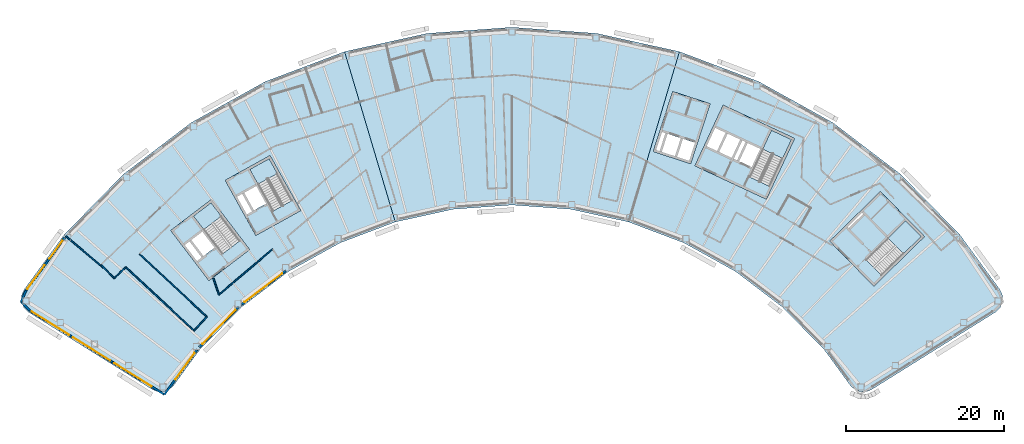
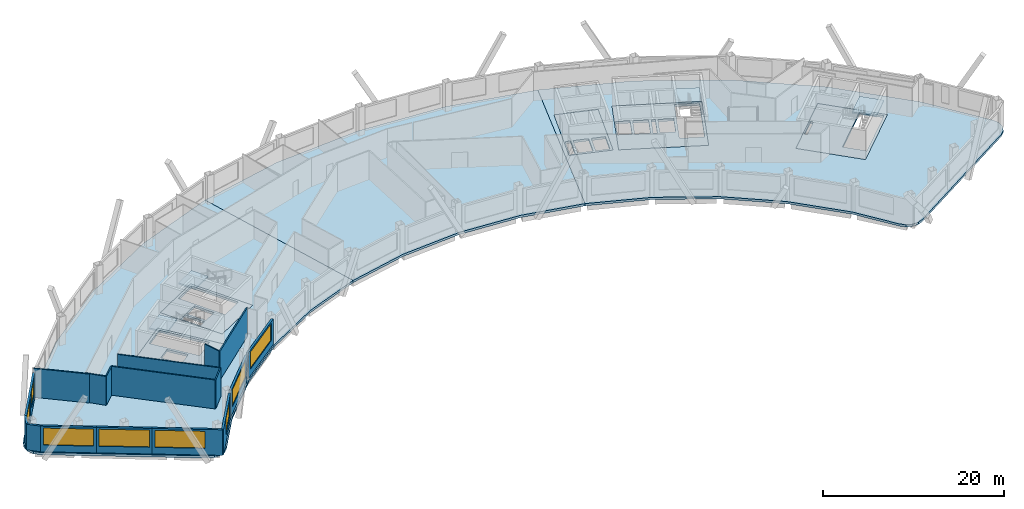
# One storey, part 4 of 12: 17 walls, 12 slabs, 8 windows, 8 openings, 4 elements without a shape of their own.
"""IFC4 building model written with IfcOpenShell, lengths in metres."""

from ifc_helpers import new_model, si_unit, direction, frame, frame_2d, origin, place, context, subcontext, project, spatial, polyline, rectangle, outline, extrude, material, layer, layer_set, type_object, element, fill, aggregate, save


model = new_model("IFC4")

# Units and contexts
model_context = context("Model", 3, precision=1e-05, world=origin(), true_north=direction((0.0, 1.0)))
body_context = subcontext(model_context, "Body", "Model", "MODEL_VIEW")
ifc_project = project(units=[si_unit("LENGTHUNIT", "METRE"), si_unit("AREAUNIT", "SQUARE_METRE"), si_unit("VOLUMEUNIT", "CUBIC_METRE"), si_unit("PLANEANGLEUNIT", "RADIAN"), si_unit("MASSUNIT", "GRAM", prefix="KILO")], contexts=[model_context])

# Site, building, storey
site_placement = place(None, origin())
site = spatial("IfcSite", under=ifc_project, at=site_placement, CompositionType="ELEMENT")
building_placement = place(site_placement, origin())
building = spatial("IfcBuilding", under=site, at=building_placement, Name="Tuul Gate Civic Tower", CompositionType="ELEMENT")
storey_placement = place(building_placement, frame((0.0, 0.0, 336.5)))
storey = spatial("IfcBuildingStorey", under=building, at=storey_placement, Name="Level 76", CompositionType="ELEMENT", Elevation=336.5)

# Slabs
ifc_material_1 = material(Name="Concrete C40/50", Category="concrete")
ifc_layer_1 = layer(ifc_material_1, 0.300048828125)
ifc_layer_set_1 = layer_set([ifc_layer_1], Name="Concrete C40/50")
slab_type_1 = type_object("IfcSlabType", Name="Core floor slab 300", PredefinedType="FLOOR", material=ifc_layer_set_1)
slab_1_placement = place(storey_placement, frame((0.0, 0.0, -0.300048828125)))
element("IfcSlab", 1, at=slab_1_placement, inside=storey, type_object=slab_type_1, Name="FLOOR SLAB", PredefinedType="FLOOR", context=body_context, shape_type="SweptSolid", body=[
    extrude(outline(polyline([(-31.10009765625, -13.7890625), (-35.946044921875, -7.423828125), (-41.11767578125, -11.361572265625), (-36.271484375, -17.726806640625), (-31.10009765625, -13.7890625)]), holes=[polyline([(-35.561767578125, -13.541259765625), (-37.1064453125, -11.512451171875), (-38.498779296875, -12.572509765625), (-36.9541015625, -14.6015625), (-35.561767578125, -13.541259765625)]), polyline([(-37.19287109375, -14.783203125), (-38.737548828125, -12.75439453125), (-39.45361328125, -13.299560546875), (-37.908935546875, -15.328369140625), (-37.19287109375, -14.783203125)]), polyline([(-32.33935546875, -12.65771484375), (-34.56591796875, -14.352783203125), (-38.229736328125, -9.54052734375), (-36.003173828125, -7.845458984375), (-32.33935546875, -12.65771484375)])]), origin(), (0.0, 0.0, 1.0), 0.300048828125),
])
slab_2_placement = place(storey_placement, frame((0.0, 0.0, -0.300048828125)))
element("IfcSlab", 2, at=slab_2_placement, inside=storey, type_object=slab_type_1, Name="FLOOR SLAB", PredefinedType="FLOOR", context=body_context, shape_type="SweptSolid", body=[
    extrude(outline(polyline([(-24.638916015625, -8.846923828125), (-28.51708984375, -1.849853515625), (-34.2021484375, -5.0009765625), (-30.32421875, -11.998046875), (-24.638916015625, -8.846923828125)]), holes=[polyline([(-29.0185546875, -7.958740234375), (-30.254638671875, -5.728515625), (-31.785400390625, -6.576904296875), (-30.54931640625, -8.80712890625), (-29.0185546875, -7.958740234375)]), polyline([(-30.8115234375, -8.95263671875), (-32.047607421875, -6.72216796875), (-32.8349609375, -7.158447265625), (-31.5986328125, -9.388916015625), (-30.8115234375, -8.95263671875)]), polyline([(-25.702392578125, -7.548828125), (-28.14990234375, -8.905517578125), (-31.08203125, -3.615234375), (-28.63427734375, -2.2587890625), (-25.702392578125, -7.548828125)])]), origin(), (0.0, 0.0, 1.0), 0.300048828125),
])
slab_3_placement = place(storey_placement, frame((0.0, 0.0, -0.300048828125)))
element("IfcSlab", 3, at=slab_3_placement, inside=storey, type_object=slab_type_1, Name="FLOOR SLAB", PredefinedType="FLOOR", context=body_context, shape_type="SweptSolid", body=[
    extrude(outline(polyline([(48.117919921875, -18.43310546875), (54.545166015625, -12.1328125), (48.945068359375, -6.419921875), (42.517822265625, -12.719970703125), (48.117919921875, -18.43310546875)]), holes=[polyline([(44.93896484375, -11.046875), (46.760009765625, -9.261962890625), (46.514892578125, -9.011962890625), (44.69384765625, -10.797119140625), (44.93896484375, -11.046875)]), polyline([(49.086181640625, -17.062744140625), (47.12744140625, -15.064208984375), (52.160888671875, -10.130126953125), (54.11962890625, -12.128662109375), (49.086181640625, -17.062744140625)])]), origin(), (0.0, 0.0, 1.0), 0.300048828125),
])
slab_4_placement = place(storey_placement, frame((0.0, 0.0, -0.300048828125)))
element("IfcSlab", 4, at=slab_4_placement, inside=storey, type_object=slab_type_1, Name="FLOOR SLAB", PredefinedType="FLOOR", context=body_context, shape_type="SweptSolid", body=[
    extrude(outline(polyline([(34.465087890625, -7.385986328125), (38.056884765625, 0.31787109375), (28.993896484375, 4.543701171875), (25.40185546875, -3.159912109375), (34.465087890625, -7.385986328125)]), holes=[polyline([(32.60888671875, -3.32080078125), (33.6865234375, -1.009765625), (32.1005859375, -0.27001953125), (31.02294921875, -2.581298828125), (32.60888671875, -3.32080078125)]), polyline([(30.0712890625, -2.137451171875), (31.14892578125, 0.173583984375), (29.562744140625, 0.9130859375), (28.4853515625, -1.39794921875), (30.0712890625, -2.137451171875)]), polyline([(30.751220703125, -2.454345703125), (31.82861328125, -0.143310546875), (31.4208984375, 0.046875), (30.34326171875, -2.264404296875), (30.751220703125, -2.454345703125)]), polyline([(28.21337890625, -1.27099609375), (29.291015625, 1.0400390625), (27.8408203125, 1.71630859375), (26.76318359375, -0.594970703125), (28.21337890625, -1.27099609375)]), polyline([(34.889892578125, -5.7626953125), (32.353759765625, -4.580078125), (35.120849609375, 1.354736328125), (37.6572265625, 0.17236328125), (34.889892578125, -5.7626953125)])]), origin(), (0.0, 0.0, 1.0), 0.300048828125),
])
ifc_material_2 = material(Name="Concrete C40/50", Category="concrete")
ifc_layer_2 = layer(ifc_material_2, 0.300048828125)
ifc_layer_set_2 = layer_set([ifc_layer_2], Name="Concrete C40/50")
slab_type_2 = type_object("IfcSlabType", Name="Core floor slab 300 non-bearing", PredefinedType="FLOOR", material=ifc_layer_set_2)
slab_5_placement = place(storey_placement, frame((0.0, 0.0, -0.300048828125)))
element("IfcSlab", 5, at=slab_5_placement, inside=storey, type_object=slab_type_2, Name="FLOOR SLAB", PredefinedType="FLOOR", context=body_context, shape_type="SweptSolid", body=[
    extrude(outline(polyline([(24.864990234375, -2.888916015625), (27.337890625, 4.71923828125), (22.58251953125, 6.264404296875), (20.109619140625, -1.343994140625), (24.864990234375, -2.888916015625)]), holes=[polyline([(24.67236328125, -2.510986328125), (25.414306640625, -0.228515625), (23.892578125, 0.265869140625), (23.150634765625, -2.0166015625), (24.67236328125, -2.510986328125)]), polyline([(22.865478515625, -1.923828125), (23.607177734375, 0.358642578125), (21.94287109375, 0.8994140625), (21.201171875, -1.383056640625), (22.865478515625, -1.923828125)]), polyline([(20.869384765625, -1.43310546875), (21.65771484375, 0.9921875), (21.0869140625, 1.177490234375), (20.298583984375, -1.24755859375), (20.869384765625, -1.43310546875)])]), origin(), (0.0, 0.0, 1.0), 0.300048828125),
])

# Stair, slab
ifc_material_3 = material(Name="Concrete C40/50", Category="concrete")
stair_type = type_object("IfcStairType", Name="Exit stair", PredefinedType="HALF_TURN_STAIR", material=ifc_material_3)
stair_1_placement = place(storey_placement, origin())
stair_1 = element("IfcStair", 6, at=stair_1_placement, inside=storey, type_object=stair_type, Name="Level 76 ST-1", PredefinedType="HALF_TURN_STAIR")
ifc_material_4 = material(Name="Concrete C40/50", Category="concrete")
ifc_layer_3 = layer(ifc_material_4, 0.199951171875)
ifc_layer_set_3 = layer_set([ifc_layer_3], Name="Concrete C40/50")
slab_type_3 = type_object("IfcSlabType", Name="Exit stair landing", PredefinedType="LANDING", material=ifc_layer_set_3)
slab_6_placement = place(storey_placement, frame((0.0, 0.0, 1.89990234375)))
slab_6 = element("IfcSlab", 7, at=slab_6_placement, type_object=slab_type_3, Name="ST-1 landing 1", PredefinedType="LANDING", context=body_context, shape_type="SweptSolid", body=[
    extrude(outline(polyline([(-34.699462890625, -9.554931640625), (-36.9287109375, -11.252197265625), (-38.23193359375, -9.540283203125), (-36.0029296875, -7.843017578125), (-34.699462890625, -9.554931640625)])), origin(), (0.0, 0.0, 1.0), 0.2001953125),
])
aggregate(stair_1, [slab_6])

stair_2_placement = place(storey_placement, origin())
stair_2 = element("IfcStair", 8, at=stair_2_placement, inside=storey, type_object=stair_type, Name="Level 76 ST-2", PredefinedType="HALF_TURN_STAIR")
slab_7_placement = place(storey_placement, frame((0.0, 0.0, 1.89990234375)))
slab_7 = element("IfcSlab", 9, at=slab_7_placement, type_object=slab_type_3, Name="ST-2 landing 1", PredefinedType="LANDING", context=body_context, shape_type="SweptSolid", body=[
    extrude(outline(polyline([(-27.5908203125, -4.138427734375), (-30.041015625, -5.49658203125), (-31.084228515625, -3.61474609375), (-28.6337890625, -2.256591796875), (-27.5908203125, -4.138427734375)])), origin(), (0.0, 0.0, 1.0), 0.2001953125),
])
aggregate(stair_2, [slab_7])

stair_3_placement = place(storey_placement, origin())
stair_3 = element("IfcStair", 10, at=stair_3_placement, inside=storey, type_object=stair_type, Name="Level 76 ST-3", PredefinedType="HALF_TURN_STAIR")
slab_8_placement = place(storey_placement, frame((0.0, 0.0, 1.89990234375)))
slab_8 = element("IfcSlab", 11, at=slab_8_placement, type_object=slab_type_3, Name="ST-3 landing 1", PredefinedType="LANDING", context=body_context, shape_type="SweptSolid", body=[
    extrude(outline(polyline([(51.871337890625, -14.3349609375), (49.91015625, -12.334228515625), (52.160888671875, -10.1279296875), (54.1220703125, -12.128662109375), (51.871337890625, -14.3349609375)])), origin(), (0.0, 0.0, 1.0), 0.2001953125),
])
aggregate(stair_3, [slab_8])

stair_4_placement = place(storey_placement, origin())
stair_4 = element("IfcStair", 12, at=stair_4_placement, inside=storey, type_object=stair_type, Name="Level 76 ST-4", PredefinedType="HALF_TURN_STAIR")
slab_9_placement = place(storey_placement, frame((0.0, 0.0, 1.89990234375)))
slab_9 = element("IfcSlab", 13, at=slab_9_placement, type_object=slab_type_3, Name="ST-4 landing 1", PredefinedType="LANDING", context=body_context, shape_type="SweptSolid", body=[
    extrude(outline(polyline([(36.538818359375, -2.230224609375), (33.999755859375, -1.046142578125), (35.1201171875, 1.35693359375), (37.659423828125, 0.173095703125), (36.538818359375, -2.230224609375)])), origin(), (0.0, 0.0, 1.0), 0.2001953125),
])
aggregate(stair_4, [slab_9])

# Slabs
ifc_material_5 = material(Name="Concrete C35/45", Category="concrete")
ifc_layer_4 = layer(ifc_material_5, 0.300048828125)
ifc_layer_set_4 = layer_set([ifc_layer_4], Name="Concrete C35/45")
slab_type_4 = type_object("IfcSlabType", Name="STR-FLOOR-SLAB-300", PredefinedType="FLOOR", material=ifc_layer_set_4)
slab_10_placement = place(storey_placement, frame((0.0, 0.0, -0.300048828125)))
element("IfcSlab", 14, at=slab_10_placement, inside=storey, type_object=slab_type_4, Name="Level 76/slab/W", PredefinedType="FLOOR", context=body_context, shape_type="SweptSolid", body=[
    extrude(outline(polyline([(-19.64208984375, -12.94189453125), (-12.6220703125, -10.287109375), (-19.055908203125, 11.3349609375), (-29.125, 7.528076171875), (-38.5390625, 2.30908203125), (-47.10400390625, -4.2119140625), (-54.638916015625, -11.89892578125), (-59.718994140625, -18.85498046875), (-60.055908203125, -19.597900390625), (-60.068115234375, -20.4140625), (-59.7529296875, -21.1669921875), (-59.1640625, -21.73095703125), (-43.43408203125, -31.56005859375), (-42.739990234375, -31.830078125), (-41.9951171875, -31.827880859375), (-41.302978515625, -31.552978515625), (-40.759033203125, -31.0439453125), (-37.429931640625, -26.486083984375), (-32.177001953125, -21.1259765625), (-26.2060546875, -16.580078125), (-19.64208984375, -12.94189453125)]), holes=[polyline([(-31.10009765625, -13.7890625), (-36.27197265625, -17.72705078125), (-41.117919921875, -11.362060546875), (-35.946044921875, -7.424072265625), (-31.10009765625, -13.7890625)]), polyline([(-24.638916015625, -8.846923828125), (-30.323974609375, -11.998046875), (-34.201904296875, -5.0009765625), (-28.51708984375, -1.85009765625), (-24.638916015625, -8.846923828125)])]), origin(), (0.0, 0.0, 1.0), 0.300048828125),
])
slab_11_placement = place(storey_placement, frame((0.0, 0.0, -0.300048828125)))
element("IfcSlab", 15, at=slab_11_placement, inside=storey, type_object=slab_type_4, Name="Level 76/slab/M", PredefinedType="FLOOR", context=body_context, shape_type="SweptSolid", body=[
    extrude(outline(polyline([(17.006103515625, -10.287109375), (23.43994140625, 11.3349609375), (12.927978515625, 13.652099609375), (2.19189453125, 14.428955078125), (-8.5439453125, 13.652099609375), (-19.055908203125, 11.3349609375), (-12.6220703125, -10.287109375), (-5.29296875, -8.672119140625), (2.19189453125, -8.1298828125), (9.677001953125, -8.672119140625), (17.006103515625, -10.287109375)])), origin(), (0.0, 0.0, 1.0), 0.300048828125),
])
slab_12_placement = place(storey_placement, frame((0.0, 0.0, -0.300048828125)))
element("IfcSlab", 16, at=slab_12_placement, inside=storey, type_object=slab_type_4, Name="Level 76/slab/E", PredefinedType="FLOOR", context=body_context, shape_type="SweptSolid", body=[
    extrude(outline(polyline([(47.1240234375, -31.830078125), (47.818115234375, -31.56005859375), (63.548095703125, -21.73095703125), (64.136962890625, -21.1669921875), (64.451904296875, -20.4140625), (64.43994140625, -19.597900390625), (64.10302734375, -18.85498046875), (59.02294921875, -11.89892578125), (51.488037109375, -4.2119140625), (42.923095703125, 2.30908203125), (33.509033203125, 7.528076171875), (23.43994140625, 11.3349609375), (17.006103515625, -10.287109375), (24.02587890625, -12.94189453125), (30.590087890625, -16.580078125), (36.56103515625, -21.1259765625), (41.81396484375, -26.486083984375), (45.14306640625, -31.0439453125), (45.68701171875, -31.552978515625), (46.37890625, -31.827880859375), (47.1240234375, -31.830078125)]), holes=[polyline([(48.117919921875, -18.43310546875), (42.51806640625, -12.719970703125), (48.945068359375, -6.419921875), (54.544921875, -12.133056640625), (48.117919921875, -18.43310546875)]), polyline([(25.402099609375, -3.159912109375), (28.993896484375, 4.5439453125), (38.056884765625, 0.318115234375), (34.465087890625, -7.385986328125), (25.402099609375, -3.159912109375)]), polyline([(20.110107421875, -1.343994140625), (22.58203125, 6.264892578125), (27.337890625, 4.719970703125), (24.864990234375, -2.888916015625), (20.110107421875, -1.343994140625)])]), origin(), (0.0, 0.0, 1.0), 0.300048828125),
])

# Walls
ifc_material_6 = material(Name="Gypsum board partition")
ifc_layer_5 = layer(ifc_material_6, 0.14990234375)
ifc_layer_set_5 = layer_set([ifc_layer_5], Name="Gypsum board partition")
wall_type_1 = type_object("IfcWallType", Name="Corridor wall P150", PredefinedType="PARTITIONING", material=ifc_layer_set_5)
wall_1_placement = place(storey_placement, frame((-49.96337890625, -15.701416015625, 0.0), z_axis=(0.0, 0.0, 1.0), x_axis=(0.692773194166, -0.721155532077, 0.0)))
element("IfcWall", 17, at=wall_1_placement, inside=storey, type_object=wall_type_1, Name="p030", PredefinedType="PARTITIONING", context=body_context, shape_type="SweptSolid", body=[
    extrude(rectangle(XDim=2.39990234375, YDim=0.14990234375, at=frame_2d((1.199951171875, 0.0))), origin(), (0.0, 0.0, 1.0), 3.89990234375),
])
wall_2_placement = place(storey_placement, frame((-54.43359375, -12.0751953125, 0.0), z_axis=(0.0, 0.0, 1.0), x_axis=(0.762994888009, -0.646404517986, 0.0)))
element("IfcWall", 18, at=wall_2_placement, inside=storey, type_object=wall_type_1, Name="p031", PredefinedType="PARTITIONING", context=body_context, shape_type="SweptSolid", body=[
    extrude(rectangle(XDim=6.24853515625, YDim=0.14990234375, at=frame_2d((3.124267578125, 0.0))), origin(), (0.0, 0.0, 1.0), 3.89990234375),
])
wall_3_placement = place(storey_placement, frame((-48.30078125, -17.43212890625, 0.0), z_axis=(0.0, 0.0, 1.0), x_axis=(0.721171653789, 0.69275641157, 0.0)))
element("IfcWall", 19, at=wall_3_placement, inside=storey, type_object=wall_type_1, Name="p049", PredefinedType="PARTITIONING", context=body_context, shape_type="SweptSolid", body=[
    extrude(rectangle(XDim=2.036376953125, YDim=0.14990234375, at=frame_2d((1.01806640625, 0.0))), origin(), (0.0, 0.0, 1.0), 3.89990234375),
])
wall_4_placement = place(storey_placement, frame((-46.807861328125, -16.018798828125, 0.0), z_axis=(0.0, 0.0, 1.0), x_axis=(0.731363923155, -0.681987398643, 0.0)))
element("IfcWall", 20, at=wall_4_placement, inside=storey, type_object=wall_type_1, Name="p051", PredefinedType="PARTITIONING", context=body_context, shape_type="SweptSolid", body=[
    extrude(rectangle(XDim=11.807373046875, YDim=0.14990234375, at=frame_2d((5.90380859375, 0.0))), origin(), (0.0, 0.0, 1.0), 3.89990234375),
])
wall_5_placement = place(storey_placement, frame((-38.17236328125, -24.0712890625, 0.0), z_axis=(0.0, 0.0, 1.0), x_axis=(0.682010140547, 0.731342715963, 0.0)))
element("IfcWall", 21, at=wall_5_placement, inside=storey, type_object=wall_type_1, Name="p052", PredefinedType="PARTITIONING", context=body_context, shape_type="SweptSolid", body=[
    extrude(rectangle(XDim=2.400146484375, YDim=0.14990234375, at=frame_2d((1.2001953125, 0.0))), origin(), (0.0, 0.0, 1.0), 3.89990234375),
])
wall_6_placement = place(storey_placement, frame((-45.069580078125, -14.35791015625, 0.0), z_axis=(0.0, 0.0, 1.0), x_axis=(0.731364109617, -0.681987198681, 0.0)))
element("IfcWall", 22, at=wall_6_placement, inside=storey, type_object=wall_type_1, Name="p053", PredefinedType="PARTITIONING", context=body_context, shape_type="SweptSolid", body=[
    extrude(rectangle(XDim=11.6689453125, YDim=0.14990234375, at=frame_2d((5.83447265625, 0.0))), origin(), (0.0, 0.0, 1.0), 3.89990234375),
])
wall_7_placement = place(storey_placement, frame((-35.69580078125, -17.476806640625, 0.0), z_axis=(0.0, 0.0, 1.0), x_axis=(0.324321422105, -0.945946940988, 0.0)))
element("IfcWall", 23, at=wall_7_placement, inside=storey, type_object=wall_type_1, Name="p054", PredefinedType="PARTITIONING", context=body_context, shape_type="SweptSolid", body=[
    extrude(rectangle(XDim=2.150634765625, YDim=0.14990234375, at=frame_2d((1.0751953125, 0.0))), origin(), (0.0, 0.0, 1.0), 3.89990234375),
])
wall_8_placement = place(storey_placement, frame((-34.998291015625, -19.51123046875, 0.0), z_axis=(0.0, 0.0, 1.0), x_axis=(0.762337651112, 0.647179500368, 0.0)))
element("IfcWall", 24, at=wall_8_placement, inside=storey, type_object=wall_type_1, Name="p055", PredefinedType="PARTITIONING", context=body_context, shape_type="SweptSolid", body=[
    extrude(rectangle(XDim=8.9189453125, YDim=0.14990234375, at=frame_2d((4.45947265625, 0.0))), origin(), (0.0, 0.0, 1.0), 3.89990234375),
])

# Wall, openings, windows
ifc_material_7 = material(Name="Precast concrete C40/50", Category="concrete")
ifc_layer_6 = layer(ifc_material_7, 0.25)
ifc_layer_set_6 = layer_set([ifc_layer_6], Name="Precast concrete C40/50")
wall_type_2 = type_object("IfcWallType", Name="External wall", PredefinedType="STANDARD", material=ifc_layer_set_6)
wall_9_placement = place(storey_placement, frame((-54.580078125, -12.28466796875, 0.0), z_axis=(0.0, 0.0, 1.0), x_axis=(-0.58975151757, -0.80758476182, 0.0)))
wall_9 = element("IfcWall", 25, at=wall_9_placement, inside=storey, type_object=wall_type_2, Name="External wall", PredefinedType="STANDARD", context=body_context, shape_type="SweptSolid", body=[
    extrude(rectangle(XDim=8.33740234375, YDim=0.25, at=frame_2d((4.168701171875, 0.0))), origin(), (0.0, 0.0, 1.0), 3.449951171875),
])
opening_1_placement = place(wall_9_placement, frame((0.48486328125, 0.0, 0.89990234375)))
opening_1 = element("IfcOpeningElement", 26, at=opening_1_placement, cuts=wall_9, Name="Opening W23", PredefinedType="OPENING", context=body_context, shape_type="SweptSolid", body=[
    extrude(rectangle(XDim=2.800048828125, YDim=2.300048828125, at=frame_2d((1.39990234375, 1.14990234375))), frame((0.0, 0.135009765625, 0.0), z_axis=(0.0, -1.0, 0.0), x_axis=(1.0, 0.0, 0.0)), (0.0, 0.0, 1.0), 0.27001953125),
])
opening_2_placement = place(wall_9_placement, frame((4.33642578125, 0.0, 0.89990234375)))
opening_2 = element("IfcOpeningElement", 27, at=opening_2_placement, cuts=wall_9, Name="Opening W21", PredefinedType="OPENING", context=body_context, shape_type="SweptSolid", body=[
    extrude(rectangle(XDim=3.699951171875, YDim=2.300048828125, at=frame_2d((1.85009765625, 1.14990234375))), frame((0.0, 0.135009765625, 0.0), z_axis=(0.0, -1.0, 0.0), x_axis=(1.0, 0.0, 0.0)), (0.0, 0.0, 1.0), 0.27001953125),
])
ifc_material_8 = material(Name="Glass", Category="glass")
window_type_1 = type_object("IfcWindowType", Name="Window W21 3700 x 2300", PartitioningType="SINGLE_PANEL", PredefinedType="WINDOW", material=ifc_material_8)
window_1_placement = place(opening_2_placement, origin())
window_1 = element("IfcWindow", 28, at=window_1_placement, inside=storey, type_object=window_type_1, Name="Window", OverallHeight=2.300048828125, OverallWidth=3.699951171875, PartitioningType="SINGLE_PANEL", PredefinedType="WINDOW", context=body_context, shape_type="SweptSolid", body=[
    extrude(rectangle(XDim=3.699951171875, YDim=2.300048828125, at=frame_2d((1.85009765625, 1.14990234375))), frame((0.0, 0.030029296875, 0.0), z_axis=(0.0, -1.0, 0.0), x_axis=(1.0, 0.0, 0.0)), (0.0, 0.0, 1.0), 0.06005859375),
])
fill(opening_2, window_1)
ifc_material_9 = material(Name="Glass", Category="glass")
window_type_2 = type_object("IfcWindowType", Name="Window W23 2800 x 2300", PartitioningType="SINGLE_PANEL", PredefinedType="WINDOW", material=ifc_material_9)
window_2_placement = place(opening_1_placement, origin())
window_2 = element("IfcWindow", 29, at=window_2_placement, inside=storey, type_object=window_type_2, Name="Window", OverallHeight=2.300048828125, OverallWidth=2.800048828125, PartitioningType="SINGLE_PANEL", PredefinedType="WINDOW", context=body_context, shape_type="SweptSolid", body=[
    extrude(rectangle(XDim=2.800048828125, YDim=2.300048828125, at=frame_2d((1.39990234375, 1.14990234375))), frame((0.0, 0.030029296875, 0.0), z_axis=(0.0, -1.0, 0.0), x_axis=(1.0, 0.0, 0.0)), (0.0, 0.0, 1.0), 0.06005859375),
])
fill(opening_1, window_2)

# Walls
wall_10_placement = place(storey_placement, frame((-59.484130859375, -18.99560546875, 0.0), z_axis=(0.0, 0.0, 1.0), x_axis=(-0.413463423134, -0.910520728886, 0.0)))
element("IfcWall", 30, at=wall_10_placement, inside=storey, type_object=wall_type_2, Name="External wall", PredefinedType="STANDARD", context=body_context, shape_type="SweptSolid", body=[
    extrude(rectangle(XDim=1.5712890625, YDim=0.25, at=frame_2d((0.78564453125, 0.0))), origin(), (0.0, 0.0, 1.0), 3.449951171875),
])
wall_11_placement = place(storey_placement, frame((-60.1337890625, -20.42626953125, 0.0), z_axis=(0.0, 0.0, 1.0), x_axis=(0.722162740816, -0.691723193031, 0.0)))
element("IfcWall", 31, at=wall_11_placement, inside=storey, type_object=wall_type_2, Name="External wall", PredefinedType="STANDARD", context=body_context, shape_type="SweptSolid", body=[
    extrude(rectangle(XDim=1.572021484375, YDim=0.25, at=frame_2d((0.7861328125, 0.0))), origin(), (0.0, 0.0, 1.0), 3.449951171875),
])

# Wall, opening, window
wall_12_placement = place(storey_placement, frame((-59.018798828125, -21.498046875, 0.0), z_axis=(0.0, 0.0, 1.0), x_axis=(0.848053758074, -0.529910203164, 0.0)))
wall_12 = element("IfcWall", 32, at=wall_12_placement, inside=storey, type_object=wall_type_2, Name="External wall", PredefinedType="STANDARD", context=body_context, shape_type="SweptSolid", body=[
    extrude(rectangle(XDim=6.182861328125, YDim=0.25, at=frame_2d((3.09130859375, 0.0))), origin(), (0.0, 0.0, 1.0), 3.449951171875),
])
opening_3_placement = place(wall_12_placement, frame((0.31640625, 0.0, 0.89990234375)))
opening_3 = element("IfcOpeningElement", 33, at=opening_3_placement, cuts=wall_12, Name="Opening W24", PredefinedType="OPENING", context=body_context, shape_type="SweptSolid", body=[
    extrude(rectangle(XDim=5.550048828125, YDim=2.300048828125, at=frame_2d((2.77490234375, 1.14990234375))), frame((0.0, 0.135009765625, 0.0), z_axis=(0.0, -1.0, 0.0), x_axis=(1.0, 0.0, 0.0)), (0.0, 0.0, 1.0), 0.27001953125),
])
ifc_material_10 = material(Name="Glass", Category="glass")
window_type_3 = type_object("IfcWindowType", Name="Window W24 5550 x 2300", PartitioningType="SINGLE_PANEL", PredefinedType="WINDOW", material=ifc_material_10)
window_3_placement = place(opening_3_placement, origin())
window_3 = element("IfcWindow", 34, at=window_3_placement, inside=storey, type_object=window_type_3, Name="Window", OverallHeight=2.300048828125, OverallWidth=5.550048828125, PartitioningType="SINGLE_PANEL", PredefinedType="WINDOW", context=body_context, shape_type="SweptSolid", body=[
    extrude(rectangle(XDim=5.550048828125, YDim=2.300048828125, at=frame_2d((2.77490234375, 1.14990234375))), frame((0.0, 0.030029296875, 0.0), z_axis=(0.0, -1.0, 0.0), x_axis=(1.0, 0.0, 0.0)), (0.0, 0.0, 1.0), 0.06005859375),
])
fill(opening_3, window_3)

wall_13_placement = place(storey_placement, frame((-53.775390625, -24.7744140625, 0.0), z_axis=(0.0, 0.0, 1.0), x_axis=(0.848053758074, -0.529910203164, 0.0)))
wall_13 = element("IfcWall", 35, at=wall_13_placement, inside=storey, type_object=wall_type_2, Name="External wall", PredefinedType="STANDARD", context=body_context, shape_type="SweptSolid", body=[
    extrude(rectangle(XDim=6.182861328125, YDim=0.25, at=frame_2d((3.09130859375, 0.0))), origin(), (0.0, 0.0, 1.0), 3.449951171875),
])
opening_4_placement = place(wall_13_placement, frame((0.31640625, 0.0, 0.89990234375)))
opening_4 = element("IfcOpeningElement", 36, at=opening_4_placement, cuts=wall_13, Name="Opening W24", PredefinedType="OPENING", context=body_context, shape_type="SweptSolid", body=[
    extrude(rectangle(XDim=5.550048828125, YDim=2.300048828125, at=frame_2d((2.77490234375, 1.14990234375))), frame((0.0, 0.135009765625, 0.0), z_axis=(0.0, -1.0, 0.0), x_axis=(1.0, 0.0, 0.0)), (0.0, 0.0, 1.0), 0.27001953125),
])
window_4_placement = place(opening_4_placement, origin())
window_4 = element("IfcWindow", 37, at=window_4_placement, inside=storey, type_object=window_type_3, Name="Window", OverallHeight=2.300048828125, OverallWidth=5.550048828125, PartitioningType="SINGLE_PANEL", PredefinedType="WINDOW", context=body_context, shape_type="SweptSolid", body=[
    extrude(rectangle(XDim=5.550048828125, YDim=2.300048828125, at=frame_2d((2.77490234375, 1.14990234375))), frame((0.0, 0.030029296875, 0.0), z_axis=(0.0, -1.0, 0.0), x_axis=(1.0, 0.0, 0.0)), (0.0, 0.0, 1.0), 0.06005859375),
])
fill(opening_4, window_4)

wall_14_placement = place(storey_placement, frame((-48.531982421875, -28.05078125, 0.0), z_axis=(0.0, 0.0, 1.0), x_axis=(0.848061701049, -0.529897491233, 0.0)))
wall_14 = element("IfcWall", 38, at=wall_14_placement, inside=storey, type_object=wall_type_2, Name="External wall", PredefinedType="STANDARD", context=body_context, shape_type="SweptSolid", body=[
    extrude(rectangle(XDim=7.787841796875, YDim=0.25, at=frame_2d((3.89404296875, 0.0))), origin(), (0.0, 0.0, 1.0), 3.449951171875),
])
opening_5_placement = place(wall_14_placement, frame((0.31640625, 0.0, 0.89990234375)))
opening_5 = element("IfcOpeningElement", 39, at=opening_5_placement, cuts=wall_14, Name="Opening W24", PredefinedType="OPENING", context=body_context, shape_type="SweptSolid", body=[
    extrude(rectangle(XDim=5.550048828125, YDim=2.300048828125, at=frame_2d((2.77490234375, 1.14990234375))), frame((0.0, 0.135009765625, 0.0), z_axis=(0.0, -1.0, 0.0), x_axis=(1.0, 0.0, 0.0)), (0.0, 0.0, 1.0), 0.27001953125),
])
window_5_placement = place(opening_5_placement, origin())
window_5 = element("IfcWindow", 40, at=window_5_placement, inside=storey, type_object=window_type_3, Name="Window", OverallHeight=2.300048828125, OverallWidth=5.550048828125, PartitioningType="SINGLE_PANEL", PredefinedType="WINDOW", context=body_context, shape_type="SweptSolid", body=[
    extrude(rectangle(XDim=5.550048828125, YDim=2.300048828125, at=frame_2d((2.77490234375, 1.14990234375))), frame((0.0, 0.030029296875, 0.0), z_axis=(0.0, -1.0, 0.0), x_axis=(1.0, 0.0, 0.0)), (0.0, 0.0, 1.0), 0.06005859375),
])
fill(opening_5, window_5)

wall_15_placement = place(storey_placement, frame((-41.927490234375, -32.177490234375, 0.0), z_axis=(0.0, 0.0, 1.0), x_axis=(0.589749390831, 0.8075863149, 0.0)))
wall_15 = element("IfcWall", 41, at=wall_15_placement, inside=storey, type_object=wall_type_2, Name="External wall", PredefinedType="STANDARD", context=body_context, shape_type="SweptSolid", body=[
    extrude(rectangle(XDim=7.033935546875, YDim=0.25, at=frame_2d((3.51708984375, 0.0))), origin(), (0.0, 0.0, 1.0), 3.449951171875),
])
opening_6_placement = place(wall_15_placement, frame((2.357666015625, 0.0, 0.89990234375)))
opening_6 = element("IfcOpeningElement", 42, at=opening_6_placement, cuts=wall_15, Name="Opening W25", PredefinedType="OPENING", context=body_context, shape_type="SweptSolid", body=[
    extrude(rectangle(XDim=4.14990234375, YDim=2.300048828125, at=frame_2d((2.074951171875, 1.14990234375))), frame((0.0, 0.135009765625, 0.0), z_axis=(0.0, -1.0, 0.0), x_axis=(1.0, 0.0, 0.0)), (0.0, 0.0, 1.0), 0.27001953125),
])
ifc_material_11 = material(Name="Glass", Category="glass")
window_type_4 = type_object("IfcWindowType", Name="Window W25 4150 x 2300", PartitioningType="SINGLE_PANEL", PredefinedType="WINDOW", material=ifc_material_11)
window_6_placement = place(opening_6_placement, origin())
window_6 = element("IfcWindow", 43, at=window_6_placement, inside=storey, type_object=window_type_4, Name="Window", OverallHeight=2.300048828125, OverallWidth=4.14990234375, PartitioningType="SINGLE_PANEL", PredefinedType="WINDOW", context=body_context, shape_type="SweptSolid", body=[
    extrude(rectangle(XDim=4.14990234375, YDim=2.300048828125, at=frame_2d((2.074951171875, 1.14990234375))), frame((0.0, 0.030029296875, 0.0), z_axis=(0.0, -1.0, 0.0), x_axis=(1.0, 0.0, 0.0)), (0.0, 0.0, 1.0), 0.06005859375),
])
fill(opening_6, window_6)

wall_16_placement = place(storey_placement, frame((-37.489013671875, -26.15234375, 0.0), z_axis=(0.0, 0.0, 1.0), x_axis=(0.700085141996, 0.714059377052, 0.0)))
wall_16 = element("IfcWall", 44, at=wall_16_placement, inside=storey, type_object=wall_type_2, Name="External wall", PredefinedType="STANDARD", context=body_context, shape_type="SweptSolid", body=[
    extrude(rectangle(XDim=7.110595703125, YDim=0.25, at=frame_2d((3.55517578125, 0.0))), origin(), (0.0, 0.0, 1.0), 3.449951171875),
])
opening_7_placement = place(wall_16_placement, frame((0.5556640625, 0.0, 0.89990234375)))
opening_7 = element("IfcOpeningElement", 45, at=opening_7_placement, cuts=wall_16, Name="Opening W26", PredefinedType="OPENING", context=body_context, shape_type="SweptSolid", body=[
    extrude(rectangle(XDim=6.0, YDim=2.300048828125, at=frame_2d((3.0, 1.14990234375))), frame((0.0, 0.135009765625, 0.0), z_axis=(0.0, -1.0, 0.0), x_axis=(1.0, 0.0, 0.0)), (0.0, 0.0, 1.0), 0.27001953125),
])
ifc_material_12 = material(Name="Glass", Category="glass")
window_type_5 = type_object("IfcWindowType", Name="Window W26 6000 x 2300", PartitioningType="SINGLE_PANEL", PredefinedType="WINDOW", material=ifc_material_12)
window_7_placement = place(opening_7_placement, origin())
window_7 = element("IfcWindow", 46, at=window_7_placement, inside=storey, type_object=window_type_5, Name="Window", OverallHeight=2.300048828125, OverallWidth=6.0, PartitioningType="SINGLE_PANEL", PredefinedType="WINDOW", context=body_context, shape_type="SweptSolid", body=[
    extrude(rectangle(XDim=6.0, YDim=2.300048828125, at=frame_2d((3.0, 1.14990234375))), frame((0.0, 0.030029296875, 0.0), z_axis=(0.0, -1.0, 0.0), x_axis=(1.0, 0.0, 0.0)), (0.0, 0.0, 1.0), 0.06005859375),
])
fill(opening_7, window_7)

wall_17_placement = place(storey_placement, frame((-32.175048828125, -20.780029296875, 0.0), z_axis=(0.0, 0.0, 1.0), x_axis=(0.795582375141, 0.605845429433, 0.0)))
wall_17 = element("IfcWall", 47, at=wall_17_placement, inside=storey, type_object=wall_type_2, Name="External wall", PredefinedType="STANDARD", context=body_context, shape_type="SweptSolid", body=[
    extrude(rectangle(XDim=7.10400390625, YDim=0.25, at=frame_2d((3.552001953125, 0.0))), origin(), (0.0, 0.0, 1.0), 3.449951171875),
])
opening_8_placement = place(wall_17_placement, frame((0.541259765625, 0.0, 0.89990234375)))
opening_8 = element("IfcOpeningElement", 48, at=opening_8_placement, cuts=wall_17, Name="Opening W26", PredefinedType="OPENING", context=body_context, shape_type="SweptSolid", body=[
    extrude(rectangle(XDim=6.0, YDim=2.300048828125, at=frame_2d((3.0, 1.14990234375))), frame((0.0, 0.135009765625, 0.0), z_axis=(0.0, -1.0, 0.0), x_axis=(1.0, 0.0, 0.0)), (0.0, 0.0, 1.0), 0.27001953125),
])
window_8_placement = place(opening_8_placement, origin())
window_8 = element("IfcWindow", 49, at=window_8_placement, inside=storey, type_object=window_type_5, Name="Window", OverallHeight=2.300048828125, OverallWidth=6.0, PartitioningType="SINGLE_PANEL", PredefinedType="WINDOW", context=body_context, shape_type="SweptSolid", body=[
    extrude(rectangle(XDim=6.0, YDim=2.300048828125, at=frame_2d((3.0, 1.14990234375))), frame((0.0, 0.030029296875, 0.0), z_axis=(0.0, -1.0, 0.0), x_axis=(1.0, 0.0, 0.0)), (0.0, 0.0, 1.0), 0.06005859375),
])
fill(opening_8, window_8)

save(model, "model.ifc")
